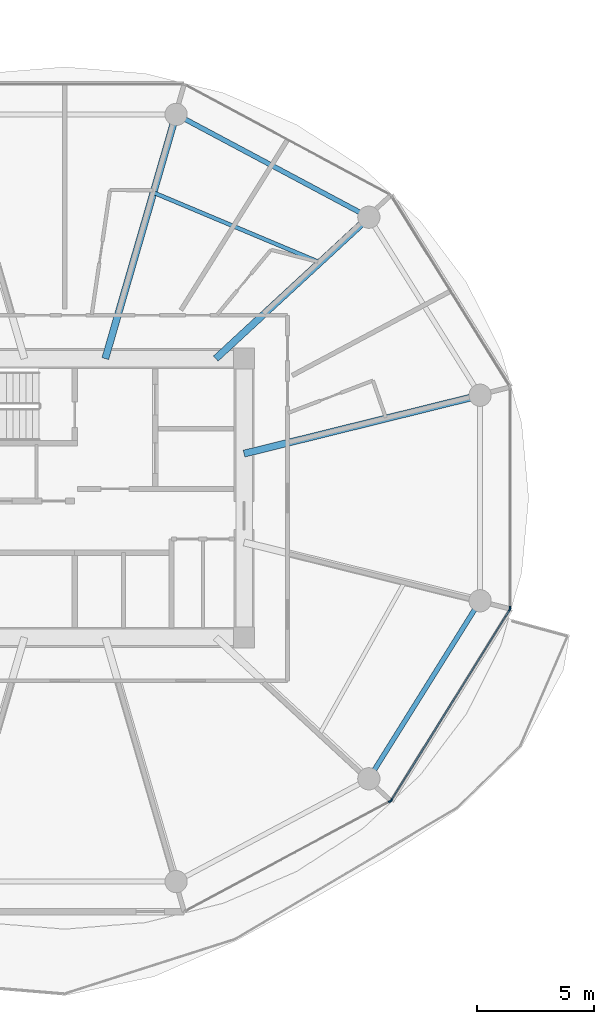
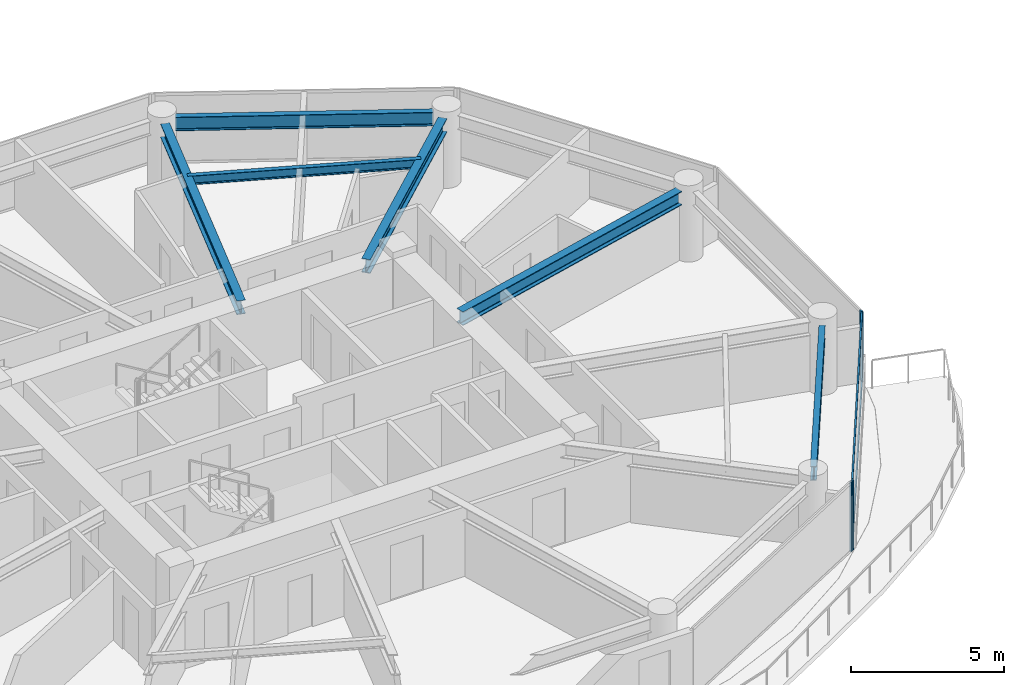
# One storey, part 5 of 26: 6 beams, 6 members, 3 elements without a shape of their own.
"""IFC4 building model written with IfcOpenShell, lengths in metres."""

from ifc_helpers import new_model, si_unit, direction, frame, origin, origin_2d, place, context, subcontext, project, spatial, rectangle, i_section, extrude, source, transform, mapped, material, layer, layer_set, material_profile, profile_set, type_object, type_shapes, element, aggregate, save


model = new_model("IFC4")

# Units and contexts
model_context = context("Model", 3, precision=1e-05, world=origin(), true_north=direction((0.0, 1.0)))
body_context = subcontext(model_context, "Body", "Model", "MODEL_VIEW")
ifc_project = project(units=[si_unit("LENGTHUNIT", "METRE"), si_unit("AREAUNIT", "SQUARE_METRE"), si_unit("VOLUMEUNIT", "CUBIC_METRE"), si_unit("PLANEANGLEUNIT", "RADIAN"), si_unit("MASSUNIT", "GRAM", prefix="KILO")], contexts=[model_context])

# Site, building, storey
site_placement = place(None, origin())
site = spatial("IfcSite", under=ifc_project, at=site_placement, CompositionType="ELEMENT")
building_placement = place(site_placement, origin())
building = spatial("IfcBuilding", under=site, at=building_placement, Name="Norrkilde Senior Care Towers", CompositionType="ELEMENT")
storey_placement = place(building_placement, frame((0.0, 0.0, 49.050048828125)))
storey = spatial("IfcBuildingStorey", under=building, at=storey_placement, Name="L14", CompositionType="ELEMENT", Elevation=49.050048828125)

# Beams
ifc_material_1 = material(Name="Steel S355", Category="steel")
ifc_material_profile_1 = material_profile(ifc_material_1, i_section(OverallWidth=0.2099609375, OverallDepth=0.550048828125, WebThickness=0.010986328125, FlangeThickness=0.01708984375, FilletRadius=0.02392578125, at=origin_2d()), Name="IPE 550")
ifc_profile_set_1 = profile_set([ifc_material_profile_1], Name="Steel S355")
beam_type_1 = type_object("IfcBeamType", Name="Perimeter Ring Spandrel Z1 IPE550", PredefinedType="SPANDREL", material=ifc_profile_set_1)
shared_shape_1 = source(origin(), body_context, "Body", "SweptSolid", [
    extrude(i_section(OverallWidth=0.2099609375, OverallDepth=0.550048828125, WebThickness=0.010986328125, FlangeThickness=0.01708984375, FilletRadius=0.02392578125, at=origin_2d()), origin(), (0.0, 0.0, 1.0), 8.090576171875),
])
beam_1_placement = place(storey_placement, frame((-14.7939453125, -11.61669921875, 2.514892578125), z_axis=(0.530004364821, 0.84799491347, 0.0), x_axis=(-0.84799491347, 0.530004364821, 0.0)))
element("IfcBeam", 1, at=beam_1_placement, inside=storey, type_object=beam_type_1, Name="L14 Drum W Perimeter Spandrel 11", PredefinedType="SPANDREL", context=body_context, shape_type="MappedRepresentation", body=[
    mapped(shared_shape_1, transform((0.0, 0.0, 0.0), x_axis=(1.0, 0.0, 0.0), y_axis=(0.0, 1.0, 0.0), z_axis=(0.0, 0.0, 1.0), scale=1.0)),
])
ifc_material_profile_2 = material_profile(ifc_material_1, i_section(OverallWidth=0.300048828125, OverallDepth=0.550048828125, WebThickness=0.014892578125, FlangeThickness=0.029052734375, FilletRadius=0.027099609375, at=origin_2d()), Name="HEB 550")
ifc_profile_set_2 = profile_set([ifc_material_profile_2], Name="Steel S355")
beam_type_2 = type_object("IfcBeamType", Name="Radial Floor Beam Z1 HEB550", PredefinedType="BEAM", material=ifc_profile_set_2)
shared_shape_2 = source(origin(), body_context, "Body", "SweptSolid", [
    extrude(i_section(OverallWidth=0.300048828125, OverallDepth=0.550048828125, WebThickness=0.014892578125, FlangeThickness=0.029052734375, FilletRadius=0.027099609375, at=origin_2d()), origin(), (0.0, 0.0, 1.0), 9.94384765625),
])
beam_2_placement = place(storey_placement, frame((-20.35009765625, 1.893310546875, 2.514892578125), z_axis=(0.970707425182, 0.240264634718, 0.0), x_axis=(-0.240264634718, 0.970707425182, 0.0)))
element("IfcBeam", 2, at=beam_2_placement, inside=storey, type_object=beam_type_2, Name="L14 Drum W Radial Floor Beam 01", PredefinedType="BEAM", context=body_context, shape_type="MappedRepresentation", body=[
    mapped(shared_shape_2, transform((0.0, 0.0, 0.0), x_axis=(1.0, 0.0, 0.0), y_axis=(0.0, 1.0, 0.0), z_axis=(0.0, 0.0, 1.0), scale=1.0)),
])
shared_shape_3 = source(origin(), body_context, "Body", "SweptSolid", [
    extrude(i_section(OverallWidth=0.2099609375, OverallDepth=0.550048828125, WebThickness=0.010986328125, FlangeThickness=0.01708984375, FilletRadius=0.02392578125, at=origin_2d()), origin(), (0.0, 0.0, 1.0), 8.452880859375),
])
type_shapes(beam_type_1, [shared_shape_1, shared_shape_3])
beam_3_placement = place(storey_placement, frame((-15.408447265625, 12.190185546875, 2.514892578125), z_axis=(-0.882368931134, 0.470558252898, 0.0), x_axis=(-0.470558252898, -0.882368931134, 0.0)))
element("IfcBeam", 3, at=beam_3_placement, inside=storey, type_object=beam_type_1, Name="L14 Drum W Perimeter Spandrel 02", PredefinedType="SPANDREL", context=body_context, shape_type="MappedRepresentation", body=[
    mapped(shared_shape_3, transform((0.0, 0.0, 0.0), x_axis=(1.0, 0.0, 0.0), y_axis=(0.0, 1.0, 0.0), z_axis=(0.0, 0.0, 1.0), scale=1.0)),
])
shared_shape_4 = source(origin(), body_context, "Body", "SweptSolid", [
    extrude(i_section(OverallWidth=0.300048828125, OverallDepth=0.550048828125, WebThickness=0.014892578125, FlangeThickness=0.029052734375, FilletRadius=0.027099609375, at=origin_2d()), origin(), (0.0, 0.0, 1.0), 8.459716796875),
])
beam_4_placement = place(storey_placement, frame((-21.55859375, 5.949951171875, 2.514892578125), z_axis=(0.734573269108, 0.678529374686, 0.0), x_axis=(-0.678529374686, 0.734573269108, 0.0)))
element("IfcBeam", 4, at=beam_4_placement, inside=storey, type_object=beam_type_2, Name="L14 Drum W Radial Floor Beam 02", PredefinedType="BEAM", context=body_context, shape_type="MappedRepresentation", body=[
    mapped(shared_shape_4, transform((0.0, 0.0, 0.0), x_axis=(1.0, 0.0, 0.0), y_axis=(0.0, 1.0, 0.0), z_axis=(0.0, 0.0, 1.0), scale=1.0)),
])
shared_shape_5 = source(origin(), body_context, "Body", "SweptSolid", [
    extrude(i_section(OverallWidth=0.300048828125, OverallDepth=0.550048828125, WebThickness=0.014892578125, FlangeThickness=0.029052734375, FilletRadius=0.027099609375, at=origin_2d()), origin(), (0.0, 0.0, 1.0), 10.4169921875),
])
type_shapes(beam_type_2, [shared_shape_2, shared_shape_4, shared_shape_5])
beam_5_placement = place(storey_placement, frame((-26.27392578125, 5.949951171875, 2.514892578125), z_axis=(0.278591250785, 0.960409764104, 0.0), x_axis=(-0.960409764104, 0.278591250785, 0.0)))
element("IfcBeam", 5, at=beam_5_placement, inside=storey, type_object=beam_type_2, Name="L14 Drum W Radial Floor Beam 03", PredefinedType="BEAM", context=body_context, shape_type="MappedRepresentation", body=[
    mapped(shared_shape_5, transform((0.0, 0.0, 0.0), x_axis=(1.0, 0.0, 0.0), y_axis=(0.0, 1.0, 0.0), z_axis=(0.0, 0.0, 1.0), scale=1.0)),
])
ifc_material_profile_3 = material_profile(ifc_material_1, i_section(OverallWidth=0.169921875, OverallDepth=0.360107421875, WebThickness=0.008056640625, FlangeThickness=0.0126953125, FilletRadius=0.01806640625, at=origin_2d()), Name="IPE 360")
ifc_profile_set_3 = profile_set([ifc_material_profile_3], Name="Steel S355")
beam_type_3 = type_object("IfcBeamType", Name="Secondary Floor Joist IPE360", PredefinedType="JOIST", material=ifc_profile_set_3)
shared_shape_6 = source(origin(), body_context, "Body", "SweptSolid", [
    extrude(i_section(OverallWidth=0.169921875, OverallDepth=0.360107421875, WebThickness=0.008056640625, FlangeThickness=0.0126953125, FilletRadius=0.01806640625, at=origin_2d()), origin(), (0.0, 0.0, 1.0), 7.703857421875),
])
type_shapes(beam_type_3, [shared_shape_6])
beam_6_placement = place(storey_placement, frame((-17.115478515625, 10.05419921875, 2.60986328125), z_axis=(-0.921982784465, 0.387230868023, 0.0), x_axis=(-0.387230868023, -0.921982784465, 0.0)))
element("IfcBeam", 6, at=beam_6_placement, inside=storey, type_object=beam_type_3, Name="L14 Drum W Secondary Floor Joist 1", PredefinedType="JOIST", context=body_context, shape_type="MappedRepresentation", body=[
    mapped(shared_shape_6, transform((0.0, 0.0, 0.0), x_axis=(1.0, 0.0, 0.0), y_axis=(0.0, 1.0, 0.0), z_axis=(0.0, 0.0, 1.0), scale=1.0)),
])

# Curtain wall, member
ifc_material_2 = material(Name="Triple Low-E Insulated Glazing", Category="glass")
ifc_layer = layer(ifc_material_2, 0.199951171875)
ifc_layer_set = layer_set([ifc_layer], Name="Triple Low-E Insulated Glazing")
curtain_wall_type = type_object("IfcCurtainWallType", Name="CW2 Zone 1 Memory Care Curtain Wall", PredefinedType="NOTDEFINED", material=ifc_layer_set)
curtain_wall_1_placement = place(storey_placement, origin())
curtain_wall_1 = element("IfcCurtainWall", 7, at=curtain_wall_1_placement, inside=storey, type_object=curtain_wall_type, Name="L14 Drum W Curtain Wall 09", PredefinedType="NOTDEFINED")
ifc_material_3 = material(Name="Anodised Aluminium", Category="aluminium")
ifc_material_profile_4 = material_profile(ifc_material_3, rectangle(XDim=0.06494140625, YDim=0.159912109375, at=origin_2d()), Name="ALU MULL 65x160")
ifc_profile_set_4 = profile_set([ifc_material_profile_4], Name="Anodised Aluminium")
member_type_1 = type_object("IfcMemberType", Name="Curtain Wall Mullion Z1-Z2 65x160", PredefinedType="MULLION", material=ifc_profile_set_4)
shared_shape_7 = source(origin(), body_context, "Body", "SweptSolid", [
    extrude(rectangle(XDim=0.06494140625, YDim=0.159912109375, at=origin_2d()), origin(), (0.0, 0.0, 1.0), 2.7900390625),
])
type_shapes(member_type_1, [shared_shape_7])
member_1_placement = place(storey_placement, frame((-14.11279296875, -12.941162109375, 0.0), z_axis=(0.0, 0.0, 1.0), x_axis=(0.472607802456, -0.881272866403, 0.0)))
member_1 = element("IfcMember", 8, at=member_1_placement, type_object=member_type_1, Name="CW-2 mullion 1", PredefinedType="MULLION", context=body_context, shape_type="MappedRepresentation", body=[
    mapped(shared_shape_7, transform((0.0, 0.0, 0.0), x_axis=(1.0, 0.0, 0.0), y_axis=(0.0, 1.0, 0.0), z_axis=(0.0, 0.0, 1.0), scale=1.0)),
])
aggregate(curtain_wall_1, [member_1])

# Curtain wall, members
curtain_wall_2_placement = place(storey_placement, origin())
curtain_wall_2 = element("IfcCurtainWall", 9, at=curtain_wall_2_placement, inside=storey, type_object=curtain_wall_type, Name="L14 Drum W Curtain Wall 10", PredefinedType="NOTDEFINED")
member_2_placement = place(storey_placement, frame((-9.0078125, -4.7587890625, 0.0), z_axis=(0.0, 0.0, 1.0), x_axis=(0.849305943117, -0.527900951871, 0.0)))
member_2 = element("IfcMember", 10, at=member_2_placement, type_object=member_type_1, Name="CW-2 mullion 1", PredefinedType="MULLION", context=body_context, shape_type="MappedRepresentation", body=[
    mapped(shared_shape_7, transform((0.0, 0.0, 0.0), x_axis=(1.0, 0.0, 0.0), y_axis=(0.0, 1.0, 0.0), z_axis=(0.0, 0.0, 1.0), scale=1.0)),
])
member_3_placement = place(storey_placement, frame((-14.06689453125, -12.898193359375, 0.0), z_axis=(0.0, 0.0, 1.0), x_axis=(0.849305943117, -0.527900951871, 0.0)))
member_3 = element("IfcMember", 11, at=member_3_placement, type_object=member_type_1, Name="CW-2 mullion 2", PredefinedType="MULLION", context=body_context, shape_type="MappedRepresentation", body=[
    mapped(shared_shape_7, transform((0.0, 0.0, 0.0), x_axis=(1.0, 0.0, 0.0), y_axis=(0.0, 1.0, 0.0), z_axis=(0.0, 0.0, 1.0), scale=1.0)),
])

# Curtain wall, member
curtain_wall_3_placement = place(storey_placement, origin())
curtain_wall_3 = element("IfcCurtainWall", 12, at=curtain_wall_3_placement, inside=storey, type_object=curtain_wall_type, Name="L14 Drum W Curtain Wall 11", PredefinedType="NOTDEFINED")
member_4_placement = place(storey_placement, frame((-8.990478515625, -4.69873046875, 0.0), z_axis=(0.0, 0.0, 1.0), x_axis=(1.0, 0.0, 0.0)))
member_4 = element("IfcMember", 13, at=member_4_placement, type_object=member_type_1, Name="CW-2 mullion 2", PredefinedType="MULLION", context=body_context, shape_type="MappedRepresentation", body=[
    mapped(shared_shape_7, transform((0.0, 0.0, 0.0), x_axis=(1.0, 0.0, 0.0), y_axis=(0.0, 1.0, 0.0), z_axis=(0.0, 0.0, 1.0), scale=1.0)),
])
aggregate(curtain_wall_3, [member_4])

# Member
ifc_material_profile_5 = material_profile(ifc_material_3, rectangle(XDim=0.06005859375, YDim=0.1201171875, at=origin_2d()), Name="ALU TRAN 60x120")
ifc_profile_set_5 = profile_set([ifc_material_profile_5], Name="Anodised Aluminium")
member_type_2 = type_object("IfcMemberType", Name="Curtain Wall Transom Typical 60x120", PredefinedType="USERDEFINED", material=ifc_profile_set_5)
shared_shape_8 = source(origin(), body_context, "Body", "SweptSolid", [
    extrude(rectangle(XDim=0.06005859375, YDim=0.1201171875, at=origin_2d()), origin(), (0.0, 0.0, 1.0), 9.5185546875),
])
type_shapes(member_type_2, [shared_shape_8])
member_5_placement = place(storey_placement, frame((-9.02490234375, -4.786376953125, 0.030029296875), z_axis=(-0.527901620669, -0.849305527413, 0.0), x_axis=(0.849305527413, -0.527901620669, 0.0)))
member_5 = element("IfcMember", 14, at=member_5_placement, type_object=member_type_2, Name="CW-2 transom 1.1", ObjectType="TRANSOM", PredefinedType="USERDEFINED", context=body_context, shape_type="MappedRepresentation", body=[
    mapped(shared_shape_8, transform((0.0, 0.0, 0.0), x_axis=(1.0, 0.0, 0.0), y_axis=(0.0, 1.0, 0.0), z_axis=(0.0, 0.0, 1.0), scale=1.0)),
])

member_6_placement = place(storey_placement, frame((-9.02490234375, -4.786376953125, 2.760009765625), z_axis=(-0.527901620669, -0.849305527413, 0.0), x_axis=(0.849305527413, -0.527901620669, 0.0)))
member_6 = element("IfcMember", 15, at=member_6_placement, type_object=member_type_2, Name="CW-2 transom 1.2", ObjectType="TRANSOM", PredefinedType="USERDEFINED", context=body_context, shape_type="MappedRepresentation", body=[
    mapped(shared_shape_8, transform((0.0, 0.0, 0.0), x_axis=(1.0, 0.0, 0.0), y_axis=(0.0, 1.0, 0.0), z_axis=(0.0, 0.0, 1.0), scale=1.0)),
])

aggregate(curtain_wall_2, [member_2, member_3, member_5, member_6])

save(model, "model.ifc")
